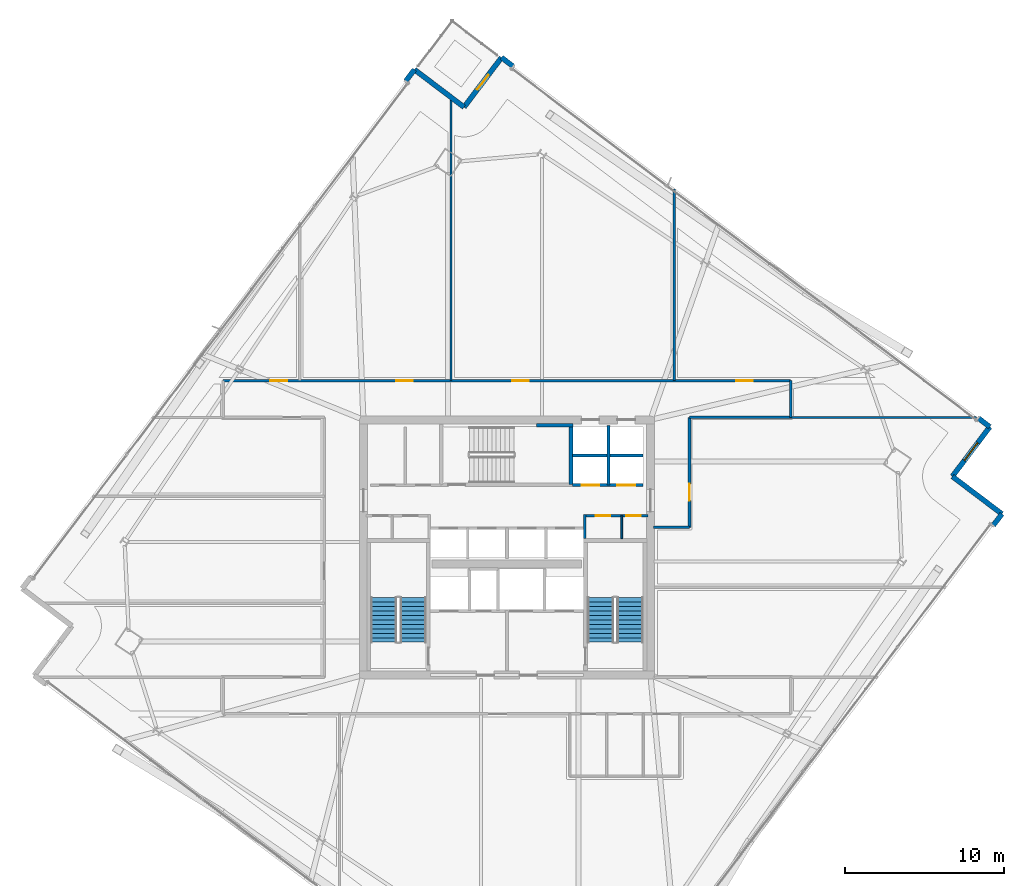
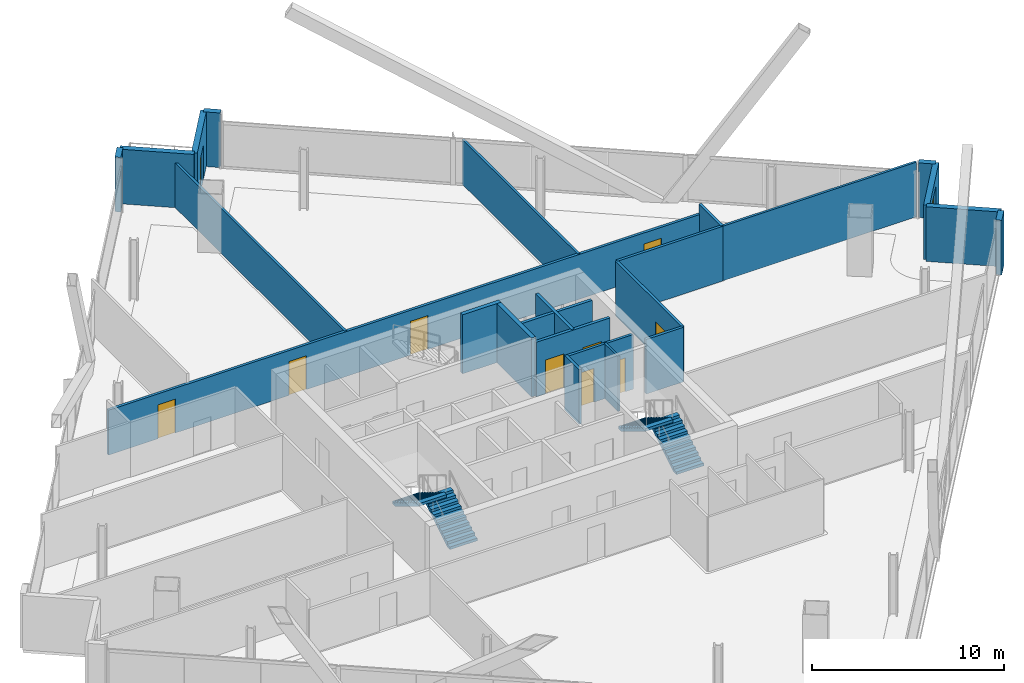
# One storey, part 28 of 34: 24 walls, 10 doors, 4 stair flights, 1 window, 11 openings, 2 elements without a shape of their own.
"""IFC4 building model written with IfcOpenShell, lengths in metres."""

from ifc_helpers import new_model, si_unit, direction, frame, frame_2d, origin, place, context, subcontext, project, spatial, polyline, rectangle, outline, extrude, material, layer, layer_set, type_object, element, fill, aggregate, save


model = new_model("IFC4")

# Units and contexts
model_context = context("Model", 3, precision=1e-05, world=origin(), true_north=direction((0.0, 1.0)))
body_context = subcontext(model_context, "Body", "Model", "MODEL_VIEW")
ifc_project = project(units=[si_unit("LENGTHUNIT", "METRE"), si_unit("AREAUNIT", "SQUARE_METRE"), si_unit("VOLUMEUNIT", "CUBIC_METRE"), si_unit("PLANEANGLEUNIT", "RADIAN"), si_unit("MASSUNIT", "GRAM", prefix="KILO")], contexts=[model_context])

# Site, building, storey
site_placement = place(None, origin())
site = spatial("IfcSite", under=ifc_project, at=site_placement, CompositionType="ELEMENT")
building_placement = place(site_placement, origin())
building = spatial("IfcBuilding", under=site, at=building_placement, Name="Haldenkirk Collegiate Tower", CompositionType="ELEMENT")
storey_placement = place(building_placement, frame((0.0, 0.0, 205.949951171875)))
storey = spatial("IfcBuildingStorey", under=building, at=storey_placement, Name="L51", CompositionType="ELEMENT", Elevation=205.949951171875)

# Walls
ifc_material_1 = material(Name="Precast concrete f'c 40 MPa", Category="concrete")
ifc_layer_1 = layer(ifc_material_1, 0.320068359375)
ifc_layer_set_1 = layer_set([ifc_layer_1], Name="Precast concrete f'c 40 MPa")
wall_type_1 = type_object("IfcWallType", Name="WL-EXT-TWR-320", PredefinedType="STANDARD", material=ifc_layer_set_1)
wall_1_placement = place(storey_placement, frame((67.048583984375, 28.09521484375, 0.0), z_axis=(0.0, 0.0, 1.0), x_axis=(-0.603120905781, -0.797649780925, 0.0)))
element("IfcWall", 1, at=wall_1_placement, inside=storey, type_object=wall_type_1, Name="L51 precast corner pier SL", PredefinedType="STANDARD", context=body_context, shape_type="SweptSolid", body=[
    extrude(rectangle(XDim=0.89990234375, YDim=0.320068359375, at=frame_2d((0.449951171875, 0.0))), origin(), (0.0, 0.0, 1.0), 3.469970703125),
])
wall_2_placement = place(storey_placement, frame((63.93798828125, 30.44775390625, 0.0), z_axis=(0.0, 0.0, 1.0), x_axis=(0.797582200659, -0.603210272784, 0.0)))
element("IfcWall", 2, at=wall_2_placement, inside=storey, type_object=wall_type_1, Name="L51 bronze precast notch wall 02", PredefinedType="STANDARD", context=body_context, shape_type="SweptSolid", body=[
    extrude(rectangle(XDim=3.900146484375, YDim=0.320068359375, at=frame_2d((1.9501953125, 0.0))), origin(), (0.0, 0.0, 1.0), 3.469970703125),
])

# Wall, opening, window
wall_3_placement = place(storey_placement, frame((66.29052734375, 33.558349609375, 0.0), z_axis=(0.0, 0.0, 1.0), x_axis=(-0.603210272784, -0.797582200659, 0.0)))
wall_3 = element("IfcWall", 3, at=wall_3_placement, inside=storey, type_object=wall_type_1, Name="L51 bronze precast notch wall 03", PredefinedType="STANDARD", context=body_context, shape_type="SweptSolid", body=[
    extrude(rectangle(XDim=3.900146484375, YDim=0.320068359375, at=frame_2d((1.9501953125, 0.0))), origin(), (0.0, 0.0, 1.0), 3.469970703125),
])
opening_1_placement = place(wall_3_placement, frame((1.25, 0.0, 0.85009765625)))
opening_1 = element("IfcOpeningElement", 4, at=opening_1_placement, cuts=wall_3, Name="Opening W-06", PredefinedType="OPENING", context=body_context, shape_type="SweptSolid", body=[
    extrude(rectangle(XDim=1.39990234375, YDim=2.0, at=frame_2d((0.699951171875, 1.0))), frame((0.0, 0.169921875, 0.0), z_axis=(0.0, -1.0, 0.0), x_axis=(1.0, 0.0, 0.0)), (0.0, 0.0, 1.0), 0.340087890625),
])
ifc_material_2 = material(Name="Low-E argon triple insulating glass", Category="glass")
ifc_layer_2 = layer(ifc_material_2, 0.090087890625)
ifc_layer_set_2 = layer_set([ifc_layer_2], Name="Low-E argon triple insulating glass")
window_type = type_object("IfcWindowType", Name="WN-Z4-1400X2000", PartitioningType="SINGLE_PANEL", PredefinedType="WINDOW", material=ifc_layer_set_2)
window_placement = place(opening_1_placement, origin())
window = element("IfcWindow", 5, at=window_placement, inside=storey, type_object=window_type, Name="L51 precast-frame academic window 2", OverallHeight=2.0, OverallWidth=1.39990234375, PartitioningType="SINGLE_PANEL", PredefinedType="WINDOW", context=body_context, shape_type="SweptSolid", body=[
    extrude(rectangle(XDim=1.39990234375, YDim=2.0, at=frame_2d((0.699951171875, 1.0))), frame((0.0, 0.030029296875, 0.0), z_axis=(0.0, -1.0, 0.0), x_axis=(1.0, 0.0, 0.0)), (0.0, 0.0, 1.0), 0.06005859375),
])
fill(opening_1, window)

# Walls
for number, where, z_axis, x_axis, name in (
    (6, (35.663330078125, 56.7216796875, 0.0), (0.0, 0.0, 1.0), (0.797519262261, -0.603293482745, 0.0), "L51 precast corner pier EL"),
    (7, (65.57275390625, 34.101318359375, 0.0), (0.0, 0.0, 1.0), (0.797519262261, -0.603293482745, 0.0), "L51 precast corner pier ER"),
):
    element("IfcWall", number, at=place(storey_placement, frame(where, z_axis=z_axis, x_axis=x_axis)), inside=storey, type_object=wall_type_1, Name=name, PredefinedType="STANDARD", context=body_context, shape_type="SweptSolid", body=[
        extrude(rectangle(XDim=0.89990234375, YDim=0.320068359375, at=frame_2d((0.449951171875, 0.0))), origin(), (0.0, 0.0, 1.0), 3.469970703125),
    ])

# Wall, opening, door
wall_4_placement = place(storey_placement, frame((33.310791015625, 53.611083984375, 0.0), z_axis=(0.0, 0.0, 1.0), x_axis=(0.603210272784, 0.797582200659, 0.0)))
wall_4 = element("IfcWall", 8, at=wall_4_placement, inside=storey, type_object=wall_type_1, Name="L51 bronze precast notch wall 05", PredefinedType="STANDARD", context=body_context, shape_type="SweptSolid", body=[
    extrude(rectangle(XDim=3.900146484375, YDim=0.320068359375, at=frame_2d((1.9501953125, 0.0))), origin(), (0.0, 0.0, 1.0), 3.469970703125),
])
opening_2_placement = place(wall_4_placement, frame((1.375, 0.0, 0.0)))
opening_2 = element("IfcOpeningElement", 9, at=opening_2_placement, cuts=wall_4, Name="Opening D-ST11", PredefinedType="OPENING", context=body_context, shape_type="SweptSolid", body=[
    extrude(rectangle(XDim=1.14990234375, YDim=2.199951171875, at=frame_2d((0.574951171875, 1.10009765625))), frame((0.0, 0.169921875, 0.0), z_axis=(0.0, -1.0, 0.0), x_axis=(1.0, 0.0, 0.0)), (0.0, 0.0, 1.0), 0.340087890625),
])
ifc_material_3 = material(Name="Anodised architectural bronze aluminium", Category="aluminium")
ifc_layer_3 = layer(ifc_material_3, 0.080078125)
ifc_layer_set_3 = layer_set([ifc_layer_3], Name="Anodised architectural bronze aluminium")
door_type_1 = type_object("IfcDoorType", Name="DR-EXT-STER-1150", OperationType="NOTDEFINED", PredefinedType="DOOR", material=ifc_layer_set_3)
door_1_placement = place(opening_2_placement, origin())
door_1 = element("IfcDoor", 10, at=door_1_placement, inside=storey, type_object=door_type_1, Name="L51 spiralling terrace door", OperationType="SINGLE_SWING_RIGHT", OverallHeight=2.199951171875, OverallWidth=1.14990234375, PredefinedType="DOOR", context=body_context, shape_type="SweptSolid", body=[
    extrude(rectangle(XDim=1.14990234375, YDim=2.199951171875, at=frame_2d((0.574951171875, 1.10009765625))), frame((0.0, 0.02490234375, 0.0), z_axis=(0.0, -1.0, 0.0), x_axis=(1.0, 0.0, 0.0)), (0.0, 0.0, 1.0), 0.050048828125),
])
fill(opening_2, door_1)

# Walls
wall_5_placement = place(storey_placement, frame((30.2001953125, 55.96337890625, 0.0), z_axis=(0.0, 0.0, 1.0), x_axis=(0.797612318108, -0.603170448549, 0.0)))
element("IfcWall", 11, at=wall_5_placement, inside=storey, type_object=wall_type_1, Name="L51 bronze precast notch wall 06", PredefinedType="STANDARD", context=body_context, shape_type="SweptSolid", body=[
    extrude(rectangle(XDim=3.89990234375, YDim=0.320068359375, at=frame_2d((1.949951171875, 0.0))), origin(), (0.0, 0.0, 1.0), 3.469970703125),
])
wall_6_placement = place(storey_placement, frame((29.657470703125, 55.24560546875, 0.0), z_axis=(0.0, 0.0, 1.0), x_axis=(0.603120905781, 0.797649780925, 0.0)))
element("IfcWall", 12, at=wall_6_placement, inside=storey, type_object=wall_type_1, Name="L51 precast corner pier NR", PredefinedType="STANDARD", context=body_context, shape_type="SweptSolid", body=[
    extrude(rectangle(XDim=0.89990234375, YDim=0.320068359375, at=frame_2d((0.449951171875, 0.0))), origin(), (0.0, 0.0, 1.0), 3.469970703125),
])

# Wall, openings, doors
ifc_material_4 = material(Name="Acoustic fire-rated gypsum partition", Category="concrete")
ifc_layer_4 = layer(ifc_material_4, 0.159912109375)
ifc_layer_set_4 = layer_set([ifc_layer_4], Name="Acoustic fire-rated gypsum partition")
wall_type_2 = type_object("IfcWallType", Name="WL-INT-CORR-160", PredefinedType="PARTITIONING", material=ifc_layer_set_4)
wall_7_placement = place(storey_placement, frame((40.800048828125, 27.97998046875, 0.0), z_axis=(0.0, 0.0, 1.0), x_axis=(1.0, 0.0, 0.0)))
wall_7 = element("IfcWall", 13, at=wall_7_placement, inside=storey, type_object=wall_type_2, Name="L51 interior partition IW-L51-VCSE-N", PredefinedType="PARTITIONING", context=body_context, shape_type="SweptSolid", body=[
    extrude(rectangle(XDim=4.050048828125, YDim=0.159912109375, at=frame_2d((2.02490234375, 0.0))), origin(), (0.0, 0.0, 1.0), 3.469970703125),
])
opening_3_placement = place(wall_7_placement, frame((0.77001953125, 0.0, 0.0)))
opening_3 = element("IfcOpeningElement", 14, at=opening_3_placement, cuts=wall_7, Name="Opening D-11", PredefinedType="OPENING", context=body_context, shape_type="SweptSolid", body=[
    extrude(rectangle(XDim=0.89990234375, YDim=2.14990234375, at=frame_2d((0.449951171875, 1.074951171875))), frame((0.0, 0.08984375, 0.0), z_axis=(0.0, -1.0, 0.0), x_axis=(1.0, 0.0, 0.0)), (0.0, 0.0, 1.0), 0.179931640625),
])
opening_4_placement = place(wall_7_placement, frame((2.679931640625, 0.0, 0.0)))
opening_4 = element("IfcOpeningElement", 15, at=opening_4_placement, cuts=wall_7, Name="Opening D-11", PredefinedType="OPENING", context=body_context, shape_type="SweptSolid", body=[
    extrude(rectangle(XDim=0.89990234375, YDim=2.14990234375, at=frame_2d((0.449951171875, 1.074951171875))), frame((0.0, 0.08984375, 0.0), z_axis=(0.0, -1.0, 0.0), x_axis=(1.0, 0.0, 0.0)), (0.0, 0.0, 1.0), 0.179931640625),
])
ifc_material_5 = material(Name="Solid-core architectural oak fire door", Category="wood")
ifc_layer_5 = layer(ifc_material_5, 0.06005859375)
ifc_layer_set_5 = layer_set([ifc_layer_5], Name="Solid-core architectural oak fire door")
door_type_2 = type_object("IfcDoorType", Name="DR-INT-FD60-900", OperationType="NOTDEFINED", PredefinedType="DOOR", material=ifc_layer_set_5)
door_2_placement = place(opening_3_placement, origin())
door_2 = element("IfcDoor", 16, at=door_2_placement, inside=storey, type_object=door_type_2, Name="L51 core archive door", OperationType="SINGLE_SWING_LEFT", OverallHeight=2.14990234375, OverallWidth=0.89990234375, PredefinedType="DOOR", context=body_context, shape_type="SweptSolid", body=[
    extrude(rectangle(XDim=0.89990234375, YDim=2.14990234375, at=frame_2d((0.449951171875, 1.074951171875))), frame((0.0, 0.02490234375, 0.0), z_axis=(0.0, -1.0, 0.0), x_axis=(1.0, 0.0, 0.0)), (0.0, 0.0, 1.0), 0.050048828125),
])
fill(opening_3, door_2)
door_3_placement = place(opening_4_placement, origin())
door_3 = element("IfcDoor", 17, at=door_3_placement, inside=storey, type_object=door_type_2, Name="L51 core telecom door", OperationType="SINGLE_SWING_RIGHT", OverallHeight=2.14990234375, OverallWidth=0.89990234375, PredefinedType="DOOR", context=body_context, shape_type="SweptSolid", body=[
    extrude(rectangle(XDim=0.89990234375, YDim=2.14990234375, at=frame_2d((0.449951171875, 1.074951171875))), frame((0.0, 0.02490234375, 0.0), z_axis=(0.0, -1.0, 0.0), x_axis=(1.0, 0.0, 0.0)), (0.0, 0.0, 1.0), 0.050048828125),
])
fill(opening_4, door_3)

# Wall
wall_8_placement = place(storey_placement, frame((40.8798828125, 26.5400390625, 0.0), z_axis=(0.0, 0.0, 1.0), x_axis=(0.0, 1.0, 0.0)))
element("IfcWall", 18, at=wall_8_placement, inside=storey, type_object=wall_type_2, Name="L51 interior partition IW-L51-VCSE-W", PredefinedType="PARTITIONING", context=body_context, shape_type="SweptSolid", body=[
    extrude(rectangle(XDim=1.510009765625, YDim=0.159912109375, at=frame_2d((0.7548828125, 0.0))), origin(), (0.0, 0.0, 1.0), 3.469970703125),
])

# Wall, openings, doors
wall_9_placement = place(storey_placement, frame((18.199951171875, 36.449951171875, 0.0), z_axis=(0.0, 0.0, 1.0), x_axis=(1.0, 0.0, 0.0)))
wall_9 = element("IfcWall", 19, at=wall_9_placement, inside=storey, type_object=wall_type_2, Name="L51 interior partition IW-L51-CN", PredefinedType="PARTITIONING", context=body_context, shape_type="SweptSolid", body=[
    extrude(rectangle(XDim=35.60009765625, YDim=0.159912109375, at=frame_2d((17.800048828125, 0.0))), origin(), (0.0, 0.0, 1.0), 2.84912109375),
])
opening_5_placement = place(wall_9_placement, frame((2.965087890625, 0.0, 0.0)))
opening_5 = element("IfcOpeningElement", 20, at=opening_5_placement, cuts=wall_9, Name="Opening D-09", PredefinedType="OPENING", context=body_context, shape_type="SweptSolid", body=[
    extrude(rectangle(XDim=1.050048828125, YDim=2.14990234375, at=frame_2d((0.52490234375, 1.074951171875))), frame((0.0, 0.08984375, 0.0), z_axis=(0.0, -1.0, 0.0), x_axis=(1.0, 0.0, 0.0)), (0.0, 0.0, 1.0), 0.179931640625),
])
opening_6_placement = place(wall_9_placement, frame((10.85498046875, 0.0, 0.0)))
opening_6 = element("IfcOpeningElement", 21, at=opening_6_placement, cuts=wall_9, Name="Opening D-09", PredefinedType="OPENING", context=body_context, shape_type="SweptSolid", body=[
    extrude(rectangle(XDim=1.050048828125, YDim=2.14990234375, at=frame_2d((0.52490234375, 1.074951171875))), frame((0.0, 0.08984375, 0.0), z_axis=(0.0, -1.0, 0.0), x_axis=(1.0, 0.0, 0.0)), (0.0, 0.0, 1.0), 0.179931640625),
])
opening_7_placement = place(wall_9_placement, frame((18.135009765625, 0.0, 0.0)))
opening_7 = element("IfcOpeningElement", 22, at=opening_7_placement, cuts=wall_9, Name="Opening D-09", PredefinedType="OPENING", context=body_context, shape_type="SweptSolid", body=[
    extrude(rectangle(XDim=1.050048828125, YDim=2.14990234375, at=frame_2d((0.52490234375, 1.074951171875))), frame((0.0, 0.08984375, 0.0), z_axis=(0.0, -1.0, 0.0), x_axis=(1.0, 0.0, 0.0)), (0.0, 0.0, 1.0), 0.179931640625),
])
opening_8_placement = place(wall_9_placement, frame((32.175048828125, 0.0, 0.0)))
opening_8 = element("IfcOpeningElement", 23, at=opening_8_placement, cuts=wall_9, Name="Opening D-09", PredefinedType="OPENING", context=body_context, shape_type="SweptSolid", body=[
    extrude(rectangle(XDim=1.050048828125, YDim=2.14990234375, at=frame_2d((0.52490234375, 1.074951171875))), frame((0.0, 0.08984375, 0.0), z_axis=(0.0, -1.0, 0.0), x_axis=(1.0, 0.0, 0.0)), (0.0, 0.0, 1.0), 0.179931640625),
])
ifc_layer_6 = layer(ifc_material_5, 0.06005859375)
ifc_layer_set_6 = layer_set([ifc_layer_6], Name="Solid-core architectural oak fire door")
door_type_3 = type_object("IfcDoorType", Name="DR-INT-FD60-1050", OperationType="NOTDEFINED", PredefinedType="DOOR", material=ifc_layer_set_6)
door_4_placement = place(opening_5_placement, origin())
door_4 = element("IfcDoor", 24, at=door_4_placement, inside=storey, type_object=door_type_3, Name="L51 Wet Science Laboratory 3 door", OperationType="SINGLE_SWING_RIGHT", OverallHeight=2.14990234375, OverallWidth=1.050048828125, PredefinedType="DOOR", context=body_context, shape_type="SweptSolid", body=[
    extrude(rectangle(XDim=1.050048828125, YDim=2.14990234375, at=frame_2d((0.52490234375, 1.074951171875))), frame((0.0, 0.02490234375, 0.0), z_axis=(0.0, -1.0, 0.0), x_axis=(1.0, 0.0, 0.0)), (0.0, 0.0, 1.0), 0.050048828125),
])
fill(opening_5, door_4)
door_5_placement = place(opening_6_placement, origin())
door_5 = element("IfcDoor", 25, at=door_5_placement, inside=storey, type_object=door_type_3, Name="L51 Optics Research Laboratory 4 door", OperationType="SINGLE_SWING_LEFT", OverallHeight=2.14990234375, OverallWidth=1.050048828125, PredefinedType="DOOR", context=body_context, shape_type="SweptSolid", body=[
    extrude(rectangle(XDim=1.050048828125, YDim=2.14990234375, at=frame_2d((0.52490234375, 1.074951171875))), frame((0.0, 0.02490234375, 0.0), z_axis=(0.0, -1.0, 0.0), x_axis=(1.0, 0.0, 0.0)), (0.0, 0.0, 1.0), 0.050048828125),
])
fill(opening_6, door_5)
door_6_placement = place(opening_7_placement, origin())
door_6 = element("IfcDoor", 26, at=door_6_placement, inside=storey, type_object=door_type_3, Name="L51 Departmental Archive 5 door", OperationType="SINGLE_SWING_RIGHT", OverallHeight=2.14990234375, OverallWidth=1.050048828125, PredefinedType="DOOR", context=body_context, shape_type="SweptSolid", body=[
    extrude(rectangle(XDim=1.050048828125, YDim=2.14990234375, at=frame_2d((0.52490234375, 1.074951171875))), frame((0.0, 0.02490234375, 0.0), z_axis=(0.0, -1.0, 0.0), x_axis=(1.0, 0.0, 0.0)), (0.0, 0.0, 1.0), 0.050048828125),
])
fill(opening_7, door_6)
door_7_placement = place(opening_8_placement, origin())
door_7 = element("IfcDoor", 27, at=door_7_placement, inside=storey, type_object=door_type_3, Name="L51 Instrument Store Room 6 door", OperationType="SINGLE_SWING_LEFT", OverallHeight=2.14990234375, OverallWidth=1.050048828125, PredefinedType="DOOR", context=body_context, shape_type="SweptSolid", body=[
    extrude(rectangle(XDim=1.050048828125, YDim=2.14990234375, at=frame_2d((0.52490234375, 1.074951171875))), frame((0.0, 0.02490234375, 0.0), z_axis=(0.0, -1.0, 0.0), x_axis=(1.0, 0.0, 0.0)), (0.0, 0.0, 1.0), 0.050048828125),
])
fill(opening_8, door_7)

# Wall
wall_10_placement = place(storey_placement, frame((47.449951171875, 34.14990234375, 0.0), z_axis=(0.0, 0.0, 1.0), x_axis=(1.0, 0.0, 0.0)))
element("IfcWall", 28, at=wall_10_placement, inside=storey, type_object=wall_type_2, Name="L51 interior partition IW-L51-CNE", PredefinedType="PARTITIONING", context=body_context, shape_type="SweptSolid", body=[
    extrude(rectangle(XDim=6.35009765625, YDim=0.159912109375, at=frame_2d((3.175048828125, 0.0))), origin(), (0.0, 0.0, 1.0), 3.469970703125),
])

# Wall, opening, door
wall_11_placement = place(storey_placement, frame((47.449951171875, 27.25, 0.0), z_axis=(0.0, 0.0, 1.0), x_axis=(0.0, 1.0, 0.0)))
wall_11 = element("IfcWall", 29, at=wall_11_placement, inside=storey, type_object=wall_type_2, Name="L51 interior partition IW-L51-CE", PredefinedType="PARTITIONING", context=body_context, shape_type="SweptSolid", body=[
    extrude(rectangle(XDim=6.89990234375, YDim=0.159912109375, at=frame_2d((3.449951171875, 0.0))), origin(), (0.0, 0.0, 1.0), 3.469970703125),
])
opening_9_placement = place(wall_11_placement, frame((1.68310546875, 0.0, 0.0)))
opening_9 = element("IfcOpeningElement", 30, at=opening_9_placement, cuts=wall_11, Name="Opening D-09", PredefinedType="OPENING", context=body_context, shape_type="SweptSolid", body=[
    extrude(rectangle(XDim=1.050048828125, YDim=2.14990234375, at=frame_2d((0.52490234375, 1.074951171875))), frame((0.0, 0.08984375, 0.0), z_axis=(0.0, -1.0, 0.0), x_axis=(1.0, 0.0, 0.0)), (0.0, 0.0, 1.0), 0.179931640625),
])
door_8_placement = place(opening_9_placement, origin())
door_8 = element("IfcDoor", 31, at=door_8_placement, inside=storey, type_object=door_type_3, Name="L51 Departmental Archive 11 door", OperationType="SINGLE_SWING_RIGHT", OverallHeight=2.14990234375, OverallWidth=1.050048828125, PredefinedType="DOOR", context=body_context, shape_type="SweptSolid", body=[
    extrude(rectangle(XDim=1.050048828125, YDim=2.14990234375, at=frame_2d((0.52490234375, 1.074951171875))), frame((0.0, 0.02490234375, 0.0), z_axis=(0.0, -1.0, 0.0), x_axis=(1.0, 0.0, 0.0)), (0.0, 0.0, 1.0), 0.050048828125),
])
fill(opening_9, door_8)

# Walls
wall_12_placement = place(storey_placement, frame((45.199951171875, 27.25, 0.0), z_axis=(0.0, 0.0, 1.0), x_axis=(1.0, 0.0, 0.0)))
element("IfcWall", 32, at=wall_12_placement, inside=storey, type_object=wall_type_2, Name="L51 interior partition IW-L51-CES", PredefinedType="PARTITIONING", context=body_context, shape_type="SweptSolid", body=[
    extrude(rectangle(XDim=2.25, YDim=0.159912109375, at=frame_2d((1.125, 0.0))), origin(), (0.0, 0.0, 1.0), 3.469970703125),
])
wall_13_placement = place(storey_placement, frame((53.800048828125, 34.14990234375, 0.0), z_axis=(0.0, 0.0, 1.0), x_axis=(0.0, 1.0, 0.0)))
element("IfcWall", 33, at=wall_13_placement, inside=storey, type_object=wall_type_2, Name="L51 interior partition IW-L51-CNR", PredefinedType="PARTITIONING", context=body_context, shape_type="SweptSolid", body=[
    extrude(rectangle(XDim=2.300048828125, YDim=0.159912109375, at=frame_2d((1.14990234375, 0.0))), origin(), (0.0, 0.0, 1.0), 3.469970703125),
])
ifc_layer_7 = layer(ifc_material_4, 0.139892578125)
ifc_layer_set_7 = layer_set([ifc_layer_7], Name="Acoustic fire-rated gypsum partition")
wall_type_3 = type_object("IfcWallType", Name="WL-INT-DIV-140", PredefinedType="PARTITIONING", material=ifc_layer_set_7)
wall_14_placement = place(storey_placement, frame((53.800048828125, 34.14990234375, 0.0), z_axis=(0.0, 0.0, 1.0), x_axis=(1.0, 0.0, 0.0)))
element("IfcWall", 34, at=wall_14_placement, inside=storey, type_object=wall_type_3, Name="L51 interior partition IW-L51-BEN", PredefinedType="PARTITIONING", context=body_context, shape_type="SweptSolid", body=[
    extrude(rectangle(XDim=11.64208984375, YDim=0.139892578125, at=frame_2d((5.821044921875, 0.0))), origin(), (0.0, 0.0, 1.0), 3.469970703125),
])
wall_15_placement = place(storey_placement, frame((32.5, 36.449951171875, 0.0), z_axis=(0.0, 0.0, 1.0), x_axis=(0.0, 1.0, 0.0)))
element("IfcWall", 35, at=wall_15_placement, inside=storey, type_object=wall_type_3, Name="L51 interior partition IW-L51-RN2", PredefinedType="PARTITIONING", context=body_context, shape_type="SweptSolid", body=[
    extrude(rectangle(XDim=17.72412109375, YDim=0.139892578125, at=frame_2d((8.862060546875, 0.0))), origin(), (0.0, 0.0, 1.0), 2.84912109375),
])
wall_16_placement = place(storey_placement, frame((46.5, 36.449951171875, 0.0), z_axis=(0.0, 0.0, 1.0), x_axis=(0.0, 1.0, 0.0)))
element("IfcWall", 36, at=wall_16_placement, inside=storey, type_object=wall_type_3, Name="L51 interior partition IW-L51-RN3", PredefinedType="PARTITIONING", context=body_context, shape_type="SweptSolid", body=[
    extrude(rectangle(XDim=12.02587890625, YDim=0.139892578125, at=frame_2d((6.012939453125, 0.0))), origin(), (0.0, 0.0, 1.0), 2.84912109375),
])

# Wall, openings, doors
ifc_material_6 = material(Name="Fire-rated gypsum shaftboard assembly", Category="concrete")
ifc_layer_8 = layer(ifc_material_6, 0.179931640625)
ifc_layer_set_8 = layer_set([ifc_layer_8], Name="Fire-rated gypsum shaftboard assembly")
wall_type_4 = type_object("IfcWallType", Name="WL-INT-SHAFT-180", PredefinedType="PARTITIONING", material=ifc_layer_set_8)
wall_17_placement = place(storey_placement, frame((40.1201171875, 29.89990234375, 0.0), z_axis=(0.0, 0.0, 1.0), x_axis=(1.0, 0.0, 0.0)))
wall_17 = element("IfcWall", 37, at=wall_17_placement, inside=storey, type_object=wall_type_4, Name="L51 interior partition IW-L51-PMS", PredefinedType="PARTITIONING", context=body_context, shape_type="SweptSolid", body=[
    extrude(rectangle(XDim=4.429931640625, YDim=0.179931640625, at=frame_2d((2.21484375, 0.0))), origin(), (0.0, 0.0, 1.0), 3.469970703125),
])
opening_10_placement = place(wall_17_placement, frame((0.56494140625, 0.0, 0.0)))
opening_10 = element("IfcOpeningElement", 38, at=opening_10_placement, cuts=wall_17, Name="Opening LD-11", PredefinedType="OPENING", context=body_context, shape_type="SweptSolid", body=[
    extrude(rectangle(XDim=1.10009765625, YDim=2.14990234375, at=frame_2d((0.550048828125, 1.074951171875))), frame((0.0, 0.099853515625, 0.0), z_axis=(0.0, -1.0, 0.0), x_axis=(1.0, 0.0, 0.0)), (0.0, 0.0, 1.0), 0.199951171875),
])
opening_11_placement = place(wall_17_placement, frame((2.81494140625, 0.0, 0.0)))
opening_11 = element("IfcOpeningElement", 39, at=opening_11_placement, cuts=wall_17, Name="Opening LD-11", PredefinedType="OPENING", context=body_context, shape_type="SweptSolid", body=[
    extrude(rectangle(XDim=1.10009765625, YDim=2.14990234375, at=frame_2d((0.550048828125, 1.074951171875))), frame((0.0, 0.099853515625, 0.0), z_axis=(0.0, -1.0, 0.0), x_axis=(1.0, 0.0, 0.0)), (0.0, 0.0, 1.0), 0.199951171875),
])
ifc_material_7 = material(Name="Brushed architectural stainless steel", Category="steel")
ifc_layer_9 = layer(ifc_material_7, 0.06005859375)
ifc_layer_set_9 = layer_set([ifc_layer_9], Name="Brushed architectural stainless steel")
door_type_4 = type_object("IfcDoorType", Name="LD-PASS-1100", OperationType="NOTDEFINED", PredefinedType="DOOR", material=ifc_layer_set_9)
door_9_placement = place(opening_10_placement, origin())
door_9 = element("IfcDoor", 40, at=door_9_placement, inside=storey, type_object=door_type_4, Name="L51 Elevator PM1 sliding landing door", OperationType="SLIDING_TO_LEFT", OverallHeight=2.14990234375, OverallWidth=1.10009765625, PredefinedType="DOOR", context=body_context, shape_type="SweptSolid", body=[
    extrude(rectangle(XDim=1.10009765625, YDim=2.14990234375, at=frame_2d((0.550048828125, 1.074951171875))), frame((0.0, 0.02490234375, 0.0), z_axis=(0.0, -1.0, 0.0), x_axis=(1.0, 0.0, 0.0)), (0.0, 0.0, 1.0), 0.050048828125),
])
fill(opening_10, door_9)
door_10_placement = place(opening_11_placement, origin())
door_10 = element("IfcDoor", 41, at=door_10_placement, inside=storey, type_object=door_type_4, Name="L51 Elevator PM2 sliding landing door", OperationType="SLIDING_TO_LEFT", OverallHeight=2.14990234375, OverallWidth=1.10009765625, PredefinedType="DOOR", context=body_context, shape_type="SweptSolid", body=[
    extrude(rectangle(XDim=1.10009765625, YDim=2.14990234375, at=frame_2d((0.550048828125, 1.074951171875))), frame((0.0, 0.02490234375, 0.0), z_axis=(0.0, -1.0, 0.0), x_axis=(1.0, 0.0, 0.0)), (0.0, 0.0, 1.0), 0.050048828125),
])
fill(opening_11, door_10)

# Walls
wall_18_placement = place(storey_placement, frame((40.1201171875, 31.75, 0.0), z_axis=(0.0, 0.0, 1.0), x_axis=(1.0, 0.0, 0.0)))
element("IfcWall", 42, at=wall_18_placement, inside=storey, type_object=wall_type_4, Name="L51 interior partition IW-L51-PMM", PredefinedType="PARTITIONING", context=body_context, shape_type="SweptSolid", body=[
    extrude(rectangle(XDim=4.429931640625, YDim=0.179931640625, at=frame_2d((2.21484375, 0.0))), origin(), (0.0, 0.0, 1.0), 3.469970703125),
])
wall_19_placement = place(storey_placement, frame((42.3701171875, 29.89990234375, 0.0), z_axis=(0.0, 0.0, 1.0), x_axis=(0.0, 1.0, 0.0)))
element("IfcWall", 43, at=wall_19_placement, inside=storey, type_object=wall_type_4, Name="L51 interior partition IW-L51-PMV", PredefinedType="PARTITIONING", context=body_context, shape_type="SweptSolid", body=[
    extrude(rectangle(XDim=3.75, YDim=0.179931640625, at=frame_2d((1.875, 0.0))), origin(), (0.0, 0.0, 1.0), 3.469970703125),
])
ifc_layer_10 = layer(ifc_material_4, 0.1201171875)
ifc_layer_set_10 = layer_set([ifc_layer_10], Name="Acoustic fire-rated gypsum partition")
wall_type_5 = type_object("IfcWallType", Name="WL-INT-WET-120", PredefinedType="PARTITIONING", material=ifc_layer_set_10)
wall_20_placement = place(storey_placement, frame((43.199951171875, 26.5400390625, 0.0), z_axis=(0.0, 0.0, 1.0), x_axis=(0.0, 1.0, 0.0)))
element("IfcWall", 44, at=wall_20_placement, inside=storey, type_object=wall_type_5, Name="L51 interior partition IW-L51-VCSE-M", PredefinedType="PARTITIONING", context=body_context, shape_type="SweptSolid", body=[
    extrude(rectangle(XDim=1.43994140625, YDim=0.1201171875, at=frame_2d((0.719970703125, 0.0))), origin(), (0.0, 0.0, 1.0), 3.469970703125),
])
ifc_material_8 = material(Name="Concrete f'c 55 MPa", Category="concrete")
ifc_layer_11 = layer(ifc_material_8, 0.239990234375)
ifc_layer_set_11 = layer_set([ifc_layer_11], Name="Concrete f'c 55 MPa")
wall_type_6 = type_object("IfcWallType", Name="WL-SHAFT-240", PredefinedType="SHEAR", material=ifc_layer_set_11)
wall_21_placement = place(storey_placement, frame((40.02001953125, 29.929931640625, 0.0), z_axis=(0.0, 0.0, 1.0), x_axis=(0.0, 1.0, 0.0)))
element("IfcWall", 45, at=wall_21_placement, inside=storey, type_object=wall_type_6, Name="L51 stair shaft shear wall SW-L51-ST3E", PredefinedType="SHEAR", context=body_context, shape_type="SweptSolid", body=[
    extrude(rectangle(XDim=3.85009765625, YDim=0.239990234375, at=frame_2d((1.925048828125, 0.0))), origin(), (0.0, 0.0, 1.0), 3.75),
])
wall_22_placement = place(storey_placement, frame((37.85009765625, 33.659912109375, 0.0), z_axis=(0.0, 0.0, 1.0), x_axis=(1.0, 0.0, 0.0)))
element("IfcWall", 46, at=wall_22_placement, inside=storey, type_object=wall_type_6, Name="L51 stair shaft shear wall SW-L51-ST3N", PredefinedType="SHEAR", context=body_context, shape_type="SweptSolid", body=[
    extrude(rectangle(XDim=2.289794921875, YDim=0.239990234375, at=frame_2d((1.14501953125, 0.0))), origin(), (0.0, 0.0, 1.0), 3.75),
])

# Stair, stair flights
ifc_material_9 = material(Name="Concrete f'c 40 MPa", Category="concrete")
stair_type = type_object("IfcStairType", Name="STR-DOGLEG-1650", PredefinedType="HALF_TURN_STAIR", material=ifc_material_9)
stair_1_placement = place(storey_placement, origin())
stair_1 = element("IfcStair", 47, at=stair_1_placement, inside=storey, type_object=stair_type, Name="L51 Core Exit Stair ST-1", PredefinedType="HALF_TURN_STAIR")
stair_flight_type = type_object("IfcStairFlightType", Name="STF-FLIGHT-1650", PredefinedType="STRAIGHT", material=ifc_material_9)
stair_flight_1_placement = place(storey_placement, frame((30.125, 20.050048828125, 0.0), z_axis=(0.0, 0.0, 1.0), x_axis=(0.0, 1.0, 0.0)))
stair_flight_1 = element("IfcStairFlight", 48, at=stair_flight_1_placement, type_object=stair_flight_type, Name="ST-1 flight 1", NumberOfRisers=11, NumberOfTreads=10, PredefinedType="STRAIGHT", RiserHeight=0.170454545, TreadLength=0.28, context=body_context, shape_type="SweptSolid", body=[
    extrude(outline(polyline([(0.0, 0.0), (0.0, 0.17041015625), (0.280029296875, 0.17041015625), (0.280029296875, 0.3408203125), (0.56005859375, 0.3408203125), (0.56005859375, 0.511474609375), (0.840087890625, 0.511474609375), (0.840087890625, 0.681884765625), (1.1201171875, 0.681884765625), (1.1201171875, 0.852294921875), (1.39990234375, 0.852294921875), (1.39990234375, 1.022705078125), (1.679931640625, 1.022705078125), (1.679931640625, 1.193115234375), (1.9599609375, 1.193115234375), (1.9599609375, 1.363525390625), (2.239990234375, 1.363525390625), (2.239990234375, 1.5341796875), (2.52001953125, 1.5341796875), (2.52001953125, 1.70458984375), (2.800048828125, 1.70458984375), (2.800048828125, 1.875), (2.800048828125, 1.529052734375), (0.288330078125, 0.0), (0.0, 0.0)])), frame((0.0, 0.824951171875, 0.0), z_axis=(0.0, -1.0, 0.0), x_axis=(1.0, 0.0, 0.0)), (0.0, 0.0, 1.0), 1.64990234375),
])
stair_flight_2_placement = place(storey_placement, frame((28.27490234375, 22.85009765625, 1.875), z_axis=(0.0, 0.0, 1.0), x_axis=(0.0, -1.0, 0.0)))
stair_flight_2 = element("IfcStairFlight", 49, at=stair_flight_2_placement, type_object=stair_flight_type, Name="ST-1 flight 2", NumberOfRisers=11, NumberOfTreads=10, PredefinedType="STRAIGHT", RiserHeight=0.170454545, TreadLength=0.28, context=body_context, shape_type="SweptSolid", body=[
    extrude(outline(polyline([(0.0, 0.0), (0.0, 0.17041015625), (0.280029296875, 0.17041015625), (0.280029296875, 0.3408203125), (0.56005859375, 0.3408203125), (0.56005859375, 0.511474609375), (0.840087890625, 0.511474609375), (0.840087890625, 0.681884765625), (1.1201171875, 0.681884765625), (1.1201171875, 0.852294921875), (1.39990234375, 0.852294921875), (1.39990234375, 1.022705078125), (1.679931640625, 1.022705078125), (1.679931640625, 1.193115234375), (1.9599609375, 1.193115234375), (1.9599609375, 1.363525390625), (2.239990234375, 1.363525390625), (2.239990234375, 1.5341796875), (2.52001953125, 1.5341796875), (2.52001953125, 1.70458984375), (2.800048828125, 1.70458984375), (2.800048828125, 1.875), (2.800048828125, 1.529052734375), (0.288330078125, 0.0), (0.0, 0.0)])), frame((0.0, 0.824951171875, 0.0), z_axis=(0.0, -1.0, 0.0), x_axis=(1.0, 0.0, 0.0)), (0.0, 0.0, 1.0), 1.64990234375),
])
aggregate(stair_1, [stair_flight_1, stair_flight_2])

stair_2_placement = place(storey_placement, origin())
stair_2 = element("IfcStair", 50, at=stair_2_placement, inside=storey, type_object=stair_type, Name="L51 Core Exit Stair ST-2", PredefinedType="HALF_TURN_STAIR")
stair_flight_3_placement = place(storey_placement, frame((43.72509765625, 20.050048828125, 0.0), z_axis=(0.0, 0.0, 1.0), x_axis=(0.0, 1.0, 0.0)))
stair_flight_3 = element("IfcStairFlight", 51, at=stair_flight_3_placement, type_object=stair_flight_type, Name="ST-2 flight 1", NumberOfRisers=11, NumberOfTreads=10, PredefinedType="STRAIGHT", RiserHeight=0.170454545, TreadLength=0.28, context=body_context, shape_type="SweptSolid", body=[
    extrude(outline(polyline([(0.0, 0.0), (0.0, 0.17041015625), (0.280029296875, 0.17041015625), (0.280029296875, 0.3408203125), (0.56005859375, 0.3408203125), (0.56005859375, 0.511474609375), (0.840087890625, 0.511474609375), (0.840087890625, 0.681884765625), (1.1201171875, 0.681884765625), (1.1201171875, 0.852294921875), (1.39990234375, 0.852294921875), (1.39990234375, 1.022705078125), (1.679931640625, 1.022705078125), (1.679931640625, 1.193115234375), (1.9599609375, 1.193115234375), (1.9599609375, 1.363525390625), (2.239990234375, 1.363525390625), (2.239990234375, 1.5341796875), (2.52001953125, 1.5341796875), (2.52001953125, 1.70458984375), (2.800048828125, 1.70458984375), (2.800048828125, 1.875), (2.800048828125, 1.529052734375), (0.288330078125, 0.0), (0.0, 0.0)])), frame((0.0, 0.824951171875, 0.0), z_axis=(0.0, -1.0, 0.0), x_axis=(1.0, 0.0, 0.0)), (0.0, 0.0, 1.0), 1.64990234375),
])
stair_flight_4_placement = place(storey_placement, frame((41.875, 22.85009765625, 1.875), z_axis=(0.0, 0.0, 1.0), x_axis=(0.0, -1.0, 0.0)))
stair_flight_4 = element("IfcStairFlight", 52, at=stair_flight_4_placement, type_object=stair_flight_type, Name="ST-2 flight 2", NumberOfRisers=11, NumberOfTreads=10, PredefinedType="STRAIGHT", RiserHeight=0.170454545, TreadLength=0.28, context=body_context, shape_type="SweptSolid", body=[
    extrude(outline(polyline([(0.0, 0.0), (0.0, 0.17041015625), (0.280029296875, 0.17041015625), (0.280029296875, 0.3408203125), (0.56005859375, 0.3408203125), (0.56005859375, 0.511474609375), (0.840087890625, 0.511474609375), (0.840087890625, 0.681884765625), (1.1201171875, 0.681884765625), (1.1201171875, 0.852294921875), (1.39990234375, 0.852294921875), (1.39990234375, 1.022705078125), (1.679931640625, 1.022705078125), (1.679931640625, 1.193115234375), (1.9599609375, 1.193115234375), (1.9599609375, 1.363525390625), (2.239990234375, 1.363525390625), (2.239990234375, 1.5341796875), (2.52001953125, 1.5341796875), (2.52001953125, 1.70458984375), (2.800048828125, 1.70458984375), (2.800048828125, 1.875), (2.800048828125, 1.529052734375), (0.288330078125, 0.0), (0.0, 0.0)])), frame((0.0, 0.824951171875, 0.0), z_axis=(0.0, -1.0, 0.0), x_axis=(1.0, 0.0, 0.0)), (0.0, 0.0, 1.0), 1.64990234375),
])
aggregate(stair_2, [stair_flight_3, stair_flight_4])

save(model, "model.ifc")
